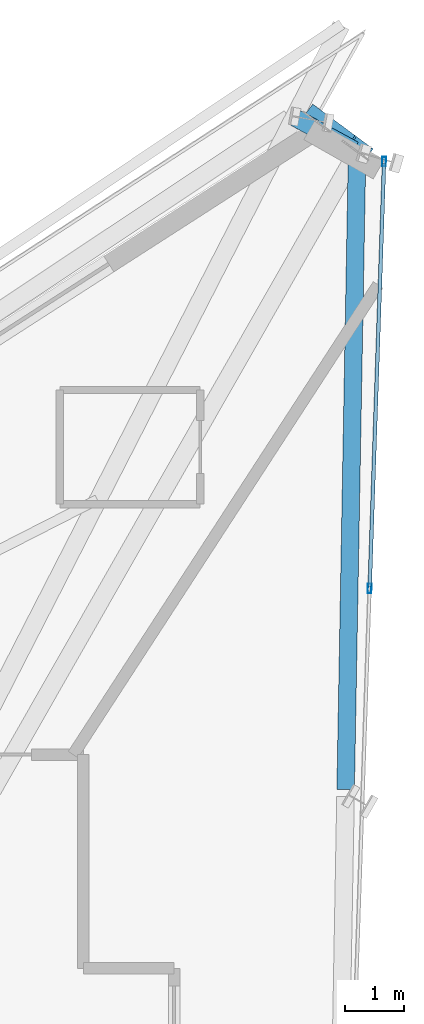
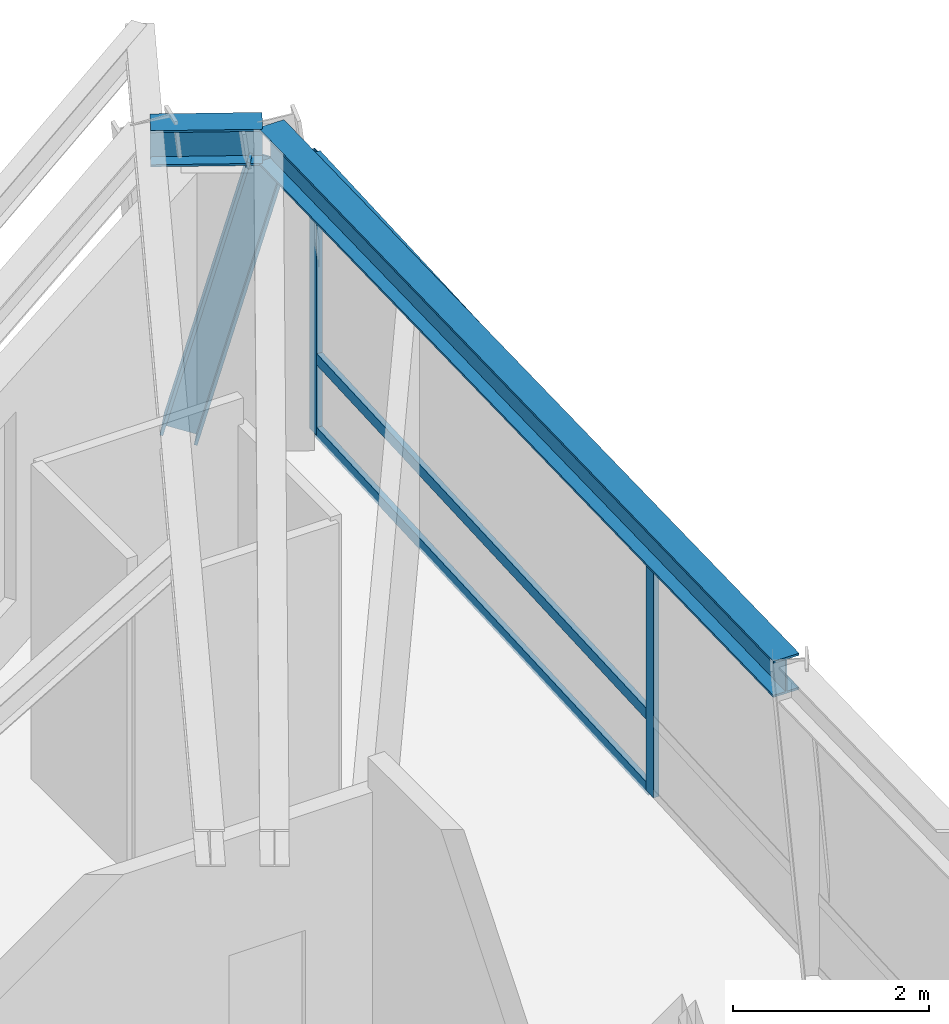
# One storey, part 13 of 22: 6 members, 2 beams, 1 element without a shape of its own.
"""IFC4 building model written with IfcOpenShell, lengths in metres."""

import ifcopenshell
import ifcopenshell.guid

model = None  # the IFC model being written
_history = None  # IfcOwnerHistory: only IFC2X3 demands one
_inside = {}  # id of a spatial element -> (the spatial element, [elements in it])
_under = {}  # id of a project, library or spatial element -> (it, [spatial elements below it])
_declared = {}  # id of a project -> (the project, [libraries it declares])
_typed = {}  # id of a type object -> (the type object, [elements of that type])
_made_of = {}  # id of a material, layer set ... -> (it, [elements and type objects made of it])


def new_model(schema):
    """Start an empty IFC model of exactly this schema.

    Asked for "IFC4X3", IfcOpenShell would pick the latest addendum, in which some entities
    have other attributes; the version numbers below select the first issue.
    IFC2X3 requires an IfcOwnerHistory on every rooted entity: one is made here for all.
    """
    global model, _history
    if schema == "IFC4X3":
        model = ifcopenshell.file(schema_version=(4, 3, 0, 0))
    else:
        model = ifcopenshell.file(schema=schema)
    _inside.clear()
    _under.clear()
    _declared.clear()
    _typed.clear()
    _made_of.clear()
    _history = None
    if model.schema == "IFC2X3":
        org = make("IfcOrganization", Name="unknown")
        user = make(
            "IfcPersonAndOrganization",
            ThePerson=make("IfcPerson", FamilyName="unknown"),
            TheOrganization=org,
        )
        app = make(
            "IfcApplication",
            ApplicationDeveloper=org,
            Version="unknown",
            ApplicationFullName="unknown",
            ApplicationIdentifier="unknown",
        )
        _history = make(
            "IfcOwnerHistory",
            OwningUser=user,
            OwningApplication=app,
            ChangeAction="ADDED",
            CreationDate=0,
        )
    return model


def make(cls, **values):
    """One entity of the class cls with the attributes given. An attribute that is None is left unset."""
    return model.create_entity(
        cls, **{name: value for name, value in values.items() if value is not None}
    )


def rooted(cls, **values):
    """An entity with a GlobalId (a new one), such as an element, a storey or a relation."""
    return make(cls, GlobalId=ifcopenshell.guid.new(), OwnerHistory=_history, **values)


def si_unit(unit_type, name, prefix=None):
    """IfcSIUnit, for example si_unit("LENGTHUNIT", "METRE", prefix="MILLI")."""
    return make("IfcSIUnit", UnitType=unit_type, Prefix=prefix, Name=name)


def assignment(units):
    """IfcUnitAssignment: the units of a project."""
    return None if units is None else make("IfcUnitAssignment", Units=units)


def point(xyz):
    """IfcCartesianPoint."""
    return None if xyz is None else make("IfcCartesianPoint", Coordinates=xyz)


def direction(xyz):
    """IfcDirection."""
    return None if xyz is None else make("IfcDirection", DirectionRatios=xyz)


def frame(location, z_axis=None, x_axis=None):
    """IfcAxis2Placement3D, a coordinate frame: its origin and axes. An axis left out is left unset."""
    return make(
        "IfcAxis2Placement3D",
        Location=point(location),
        Axis=direction(z_axis),
        RefDirection=direction(x_axis),
    )


def frame_2d(location, x_axis=None):
    """IfcAxis2Placement2D, a coordinate frame in the plane: its origin and x axis."""
    return make(
        "IfcAxis2Placement2D", Location=point(location), RefDirection=direction(x_axis)
    )


def origin():
    """The frame at (0, 0, 0) with its axes left unset."""
    return frame((0.0, 0.0, 0.0))


def origin_2d():
    """The frame at (0, 0) in the plane with its x axis left unset."""
    return frame_2d((0.0, 0.0))


def place(relative_to, where):
    """IfcLocalPlacement: puts the frame where relative to a parent placement (None: the world)."""
    return make(
        "IfcLocalPlacement", PlacementRelTo=relative_to, RelativePlacement=where
    )


def context(
    kind, dimensions, precision=None, world=None, true_north=None, identifier=None
):
    """IfcGeometricRepresentationContext, for example the 3D "Model" context."""
    return make(
        "IfcGeometricRepresentationContext",
        ContextIdentifier=identifier,
        ContextType=kind,
        CoordinateSpaceDimension=dimensions,
        Precision=precision,
        WorldCoordinateSystem=world,
        TrueNorth=true_north,
    )


def subcontext(parent, identifier, kind, view, scale=None):
    """IfcGeometricRepresentationSubContext, for example "Body" below "Model"."""
    return make(
        "IfcGeometricRepresentationSubContext",
        ContextIdentifier=identifier,
        ContextType=kind,
        ParentContext=parent,
        TargetScale=scale,
        TargetView=view,
    )


def project(units=None, contexts=None):
    """IfcProject with its units and contexts."""
    return rooted(
        "IfcProject",
        Name="project",
        RepresentationContexts=contexts,
        UnitsInContext=assignment(units),
    )


def spatial(cls, under=None, at=None, **own):
    """A site, building, storey or space (cls), placed at a placement, below another one or the project."""
    s = rooted(cls, ObjectPlacement=at, **own)
    if under is not None:
        _under.setdefault(under.id(), (under, []))[1].append(s)
    return s


def profile(cls, at=None, kind="AREA", **sizes):
    """A parametric profile (cls). Its sizes go by their IFC names, for example OverallWidth=200.0."""
    return make(cls, ProfileType=kind, Position=at, **sizes)


def hollow_rectangle(**sizes):
    """IfcRectangleHollowProfileDef."""
    return profile("IfcRectangleHollowProfileDef", **sizes)


def i_section(**sizes):
    """IfcIShapeProfileDef."""
    return profile("IfcIShapeProfileDef", **sizes)


def extrude(swept, where, along, depth):
    """IfcExtrudedAreaSolid: the profile swept, set in the frame where, extruded along a direction by depth."""
    return make(
        "IfcExtrudedAreaSolid",
        SweptArea=swept,
        Position=where,
        ExtrudedDirection=direction(along),
        Depth=depth,
    )


def shape(context_of_items, identifier, shape_type, items):
    """IfcShapeRepresentation: the items that make up one representation, for example the "Body"."""
    return make(
        "IfcShapeRepresentation",
        ContextOfItems=context_of_items,
        RepresentationIdentifier=identifier,
        RepresentationType=shape_type,
        Items=items,
    )


def source(mapping_origin, context_of_items, identifier, shape_type, items):
    """IfcRepresentationMap: a shape defined once, which mapped items show again and again."""
    return make(
        "IfcRepresentationMap",
        MappingOrigin=mapping_origin,
        MappedRepresentation=shape(context_of_items, identifier, shape_type, items),
    )


def transform(
    local_origin,
    x_axis=None,
    y_axis=None,
    z_axis=None,
    scale=None,
    scale2=None,
    scale3=None,
    uniform=True,
):
    """IfcCartesianTransformationOperator3D, or its non-uniform kind. x_axis, y_axis, z_axis: its Axis1, 2, 3."""
    if uniform:
        return make(
            "IfcCartesianTransformationOperator3D",
            Axis1=direction(x_axis),
            Axis2=direction(y_axis),
            LocalOrigin=point(local_origin),
            Scale=scale,
            Axis3=direction(z_axis),
        )
    return make(
        "IfcCartesianTransformationOperator3DnonUniform",
        Axis1=direction(x_axis),
        Axis2=direction(y_axis),
        LocalOrigin=point(local_origin),
        Scale=scale,
        Axis3=direction(z_axis),
        Scale2=scale2,
        Scale3=scale3,
    )


def mapped(mapping_source, mapping_target):
    """IfcMappedItem: shows the shape of a source again, moved by a transform."""
    return make(
        "IfcMappedItem", MappingSource=mapping_source, MappingTarget=mapping_target
    )


def material(Name=None, Category=None):
    """IfcMaterial."""
    return make("IfcMaterial", Name=Name, Category=Category)


def material_profile(
    of_material, cross_section, Name=None, Category=None, Priority=None
):
    """IfcMaterialProfile: a cross section and its material."""
    return make(
        "IfcMaterialProfile",
        Name=Name,
        Material=of_material,
        Profile=cross_section,
        Priority=Priority,
        Category=Category,
    )


def profile_set(profiles, Name=None, composite=None):
    """IfcMaterialProfileSet."""
    return make(
        "IfcMaterialProfileSet",
        Name=Name,
        MaterialProfiles=profiles,
        CompositeProfile=composite,
    )


def made_of(thing, what):
    """Note that an element or type object is made of a material, layer set ...; save() writes the relation."""
    if what is not None:
        _made_of.setdefault(what.id(), (what, []))[1].append(thing)
    return thing


def type_object(cls, material=None, **own):
    """A type object (cls), such as IfcWallType, which elements share."""
    return made_of(rooted(cls, **own), material)


def element(
    cls,
    number,
    at=None,
    inside=None,
    cuts=None,
    type_object=None,
    material=None,
    context=None,
    identifier="Body",
    shape_type=None,
    held_by="IfcProductDefinitionShape",
    body=None,
    shapes=None,
    **own,
):
    """One element of the class cls, such as IfcWall. Its Tag is "e" and its number.

    at: its placement. inside: the storey or other place that contains it. cuts: it is an
    opening in that element (IfcRelVoidsElement). A single representation is given by context,
    identifier, shape_type and body (its items); several are given by shapes. held_by: the class
    of the entity that holds the representations. save() writes the other relations.
    """
    e = rooted(cls, Tag="e%d" % number, ObjectPlacement=at, **own)
    if body is not None:
        shapes = [shape(context, identifier, shape_type, body)]
    if shapes is not None:
        e.Representation = make(held_by, Representations=shapes)
    if inside is not None:
        _inside.setdefault(inside.id(), (inside, []))[1].append(e)
    if cuts is not None:
        rooted(
            "IfcRelVoidsElement", RelatingBuildingElement=cuts, RelatedOpeningElement=e
        )
    if type_object is not None:
        _typed.setdefault(type_object.id(), (type_object, []))[1].append(e)
    return made_of(e, material)


def aggregate(whole, parts):
    """IfcRelAggregates: a whole, such as a stair, and the parts it consists of."""
    return rooted("IfcRelAggregates", RelatingObject=whole, RelatedObjects=parts)


def save(model, path):
    """Write the relations noted so far, then the file.

    IfcRelAggregates (storeys below a building ...), IfcRelContainedInSpatialStructure (elements
    in a storey), IfcRelDefinesByType, IfcRelAssociatesMaterial and IfcRelDeclares: one each for
    every whole, place, type object, material and project.
    """
    for whole, parts in _under.values():
        aggregate(whole, parts)
    for where, things in _inside.values():
        rooted(
            "IfcRelContainedInSpatialStructure",
            RelatedElements=things,
            RelatingStructure=where,
        )
    for kind, things in _typed.values():
        rooted("IfcRelDefinesByType", RelatedObjects=things, RelatingType=kind)
    for what, things in _made_of.values():
        rooted("IfcRelAssociatesMaterial", RelatedObjects=things, RelatingMaterial=what)
    for by, libraries in _declared.values():
        rooted("IfcRelDeclares", RelatingContext=by, RelatedDefinitions=libraries)
    model.write(path)


model = new_model("IFC4")

# Units and contexts
model_context = context("Model", 3, precision=1e-05, world=origin(), true_north=direction((0.0, 1.0)))
body_context = subcontext(model_context, "Body", "Model", "MODEL_VIEW")
ifc_project = project(units=[si_unit("LENGTHUNIT", "METRE"), si_unit("AREAUNIT", "SQUARE_METRE"), si_unit("VOLUMEUNIT", "CUBIC_METRE"), si_unit("PLANEANGLEUNIT", "RADIAN"), si_unit("MASSUNIT", "GRAM", prefix="KILO")], contexts=[model_context])

# Site, building, storey
site_placement = place(None, origin())
site = spatial("IfcSite", under=ifc_project, at=site_placement, CompositionType="ELEMENT")
building_placement = place(site_placement, origin())
building = spatial("IfcBuilding", under=site, at=building_placement, Name="Olszyna Solenne Hotel", CompositionType="ELEMENT")
storey_placement = place(building_placement, frame((0.0, 0.0, 281.89990234375)))
storey = spatial("IfcBuildingStorey", under=building, at=storey_placement, Name="L75", CompositionType="ELEMENT", Elevation=281.89990234375)

# Beams
ifc_material_1 = material(Name="Steel S355J2", Category="steel")
ifc_material_profile_1 = material_profile(ifc_material_1, i_section(OverallWidth=0.300048828125, OverallDepth=0.449951171875, WebThickness=0.013916015625, FlangeThickness=0.02587890625, at=origin_2d()), Name="HEB 450", Category="load-bearing")
ifc_profile_set_1 = profile_set([ifc_material_profile_1], Name="Steel S355J2")
beam_type = type_object("IfcBeamType", Name="BM-S4", PredefinedType="BEAM", material=ifc_profile_set_1)
shared_shape_1 = source(origin(), body_context, "Body", "SweptSolid", [
    extrude(i_section(OverallWidth=0.300048828125, OverallDepth=0.449951171875, WebThickness=0.013916015625, FlangeThickness=0.02587890625, at=origin_2d()), origin(), (0.0, 0.0, 1.0), 1.143798828125),
])
beam_1_placement = place(storey_placement, frame((51.272705078125, 49.98046875, 3.695068359375), z_axis=(-0.877569047779, 0.479450275191, 0.0), x_axis=(-0.479450275191, -0.877569047779, 0.0)))
element("IfcBeam", 1, at=beam_1_placement, inside=storey, type_object=beam_type, Name="Perimeter spandrel beam BM-S4 B-L75-2196", PredefinedType="BEAM", context=body_context, shape_type="MappedRepresentation", body=[
    mapped(shared_shape_1, transform((0.0, 0.0, 0.0), x_axis=(1.0, 0.0, 0.0), y_axis=(0.0, 1.0, 0.0), z_axis=(0.0, 0.0, 1.0), scale=1.0)),
])
shared_shape_2 = source(origin(), body_context, "Body", "SweptSolid", [
    extrude(i_section(OverallWidth=0.300048828125, OverallDepth=0.449951171875, WebThickness=0.013916015625, FlangeThickness=0.02587890625, at=origin_2d()), origin(), (0.0, 0.0, 1.0), 10.842529296875),
])
beam_2_placement = place(storey_placement, frame((51.1298828125, 39.05078125, 3.695068359375), z_axis=(0.017945942933, 0.999838958599, 0.0), x_axis=(-0.999838958599, 0.017945942933, 0.0)))
element("IfcBeam", 2, at=beam_2_placement, inside=storey, type_object=beam_type, Name="Perimeter spandrel beam BM-S4 B-L75-2207", PredefinedType="BEAM", context=body_context, shape_type="MappedRepresentation", body=[
    mapped(shared_shape_2, transform((0.0, 0.0, 0.0), x_axis=(1.0, 0.0, 0.0), y_axis=(0.0, 1.0, 0.0), z_axis=(0.0, 0.0, 1.0), scale=1.0)),
])

# Member
ifc_material_2 = material(Name="Steel S460M", Category="steel")
ifc_material_profile_2 = material_profile(ifc_material_2, i_section(OverallWidth=0.40087890625, OverallDepth=0.39892578125, WebThickness=0.02197265625, FlangeThickness=0.034423828125, at=origin_2d()), Name="HD 400x314", Category="load-bearing")
ifc_profile_set_2 = profile_set([ifc_material_profile_2], Name="Steel S460M")
member_type_1 = type_object("IfcMemberType", Name="BR-T3", PredefinedType="BRACE", material=ifc_profile_set_2)
shared_shape_3 = source(origin(), body_context, "Body", "SweptSolid", [
    extrude(i_section(OverallWidth=0.40087890625, OverallDepth=0.39892578125, WebThickness=0.02197265625, FlangeThickness=0.034423828125, at=origin_2d()), origin(), (0.0, 0.0, 1.0), 3.58349609375),
])
member_1_placement = place(storey_placement, frame((50.603271484375, 50.486083984375, 0.010009765625), z_axis=(0.201529142012, -0.149137015505, 0.968062061815), x_axis=(0.59485705279, 0.803831503952, 0.0)))
element("IfcMember", 3, at=member_1_placement, inside=storey, type_object=member_type_1, Name="Perimeter braced-tube diagonal BR-T3 BR-L75-1", PredefinedType="BRACE", context=body_context, shape_type="MappedRepresentation", body=[
    mapped(shared_shape_3, transform((0.0, 0.0, 0.0), x_axis=(1.0, 0.0, 0.0), y_axis=(0.0, 1.0, 0.0), z_axis=(0.0, 0.0, 1.0), scale=1.0)),
])

# Curtain wall, members
ifc_material_3 = material(Name="Anodised bronze aluminium", Category="aluminium")
curtain_wall_type = type_object("IfcCurtainWallType", Name="CW-SYS-7", PredefinedType="NOTDEFINED", material=ifc_material_3)
curtain_wall_placement = place(storey_placement, origin())
curtain_wall = element("IfcCurtainWall", 4, at=curtain_wall_placement, inside=storey, type_object=curtain_wall_type, Name="Unitised curtain wall CW-SYS-7 CW-L75-03", PredefinedType="NOTDEFINED")
ifc_material_profile_3 = material_profile(ifc_material_3, hollow_rectangle(XDim=0.06494140625, YDim=0.159912109375, WallThickness=0.00390625, at=origin_2d()), Name="MULL 160x65x4", Category="load-bearing")
ifc_profile_set_3 = profile_set([ifc_material_profile_3], Name="Anodised bronze aluminium")
member_type_2 = type_object("IfcMemberType", Name="CW-M3", PredefinedType="MULLION", material=ifc_profile_set_3)
shared_shape_4 = source(origin(), body_context, "Body", "SweptSolid", [
    extrude(hollow_rectangle(XDim=0.06494140625, YDim=0.159912109375, WallThickness=0.00390625, at=origin_2d()), origin(), (0.0, 0.0, 1.0), 3.462158203125),
])
member_2_placement = place(storey_placement, frame((51.540283203125, 42.48876953125, 0.0), z_axis=(0.0, 0.0, 1.0), x_axis=(-0.9994274286, 0.033835114337, 0.0)))
member_2 = element("IfcMember", 5, at=member_2_placement, type_object=member_type_2, Name="Curtain-wall mullion CW-M3 CM-L75-03-03", PredefinedType="MULLION", context=body_context, shape_type="MappedRepresentation", body=[
    mapped(shared_shape_4, transform((0.0, 0.0, 0.0), x_axis=(1.0, 0.0, 0.0), y_axis=(0.0, 1.0, 0.0), z_axis=(0.0, 0.0, 1.0), scale=1.0)),
])
member_3_placement = place(storey_placement, frame((51.787353515625, 49.78173828125, 0.0), z_axis=(0.0, 0.0, 1.0), x_axis=(-0.9994274286, 0.033835114337, 0.0)))
member_3 = element("IfcMember", 6, at=member_3_placement, type_object=member_type_2, Name="Curtain-wall mullion CW-M3 CM-L75-03-04", PredefinedType="MULLION", context=body_context, shape_type="MappedRepresentation", body=[
    mapped(shared_shape_4, transform((0.0, 0.0, 0.0), x_axis=(1.0, 0.0, 0.0), y_axis=(0.0, 1.0, 0.0), z_axis=(0.0, 0.0, 1.0), scale=1.0)),
])
ifc_material_profile_4 = material_profile(ifc_material_3, hollow_rectangle(XDim=0.06494140625, YDim=0.139892578125, WallThickness=0.00390625, at=origin_2d()), Name="TRAN 140x65x4", Category="load-bearing")
ifc_profile_set_4 = profile_set([ifc_material_profile_4], Name="Anodised bronze aluminium")
member_type_3 = type_object("IfcMemberType", Name="CW-T2", PredefinedType="USERDEFINED", material=ifc_profile_set_4)
shared_shape_5 = source(origin(), body_context, "Body", "SweptSolid", [
    extrude(hollow_rectangle(XDim=0.06494140625, YDim=0.139892578125, WallThickness=0.00390625, at=origin_2d()), origin(), (0.0, 0.0, 1.0), 7.232177734375),
])
member_4_placement = place(storey_placement, frame((51.54150390625, 42.521240234375, 0.03271484375), z_axis=(0.033825124039, 0.999427766766, 0.0), x_axis=(-0.999427766766, 0.033825124039, 0.0)))
member_4 = element("IfcMember", 7, at=member_4_placement, type_object=member_type_3, Name="Curtain-wall transom CW-T2 CT-L75-03-07", ObjectType="TRANSOM", PredefinedType="USERDEFINED", context=body_context, shape_type="MappedRepresentation", body=[
    mapped(shared_shape_5, transform((0.0, 0.0, 0.0), x_axis=(1.0, 0.0, 0.0), y_axis=(0.0, 1.0, 0.0), z_axis=(0.0, 0.0, 1.0), scale=1.0)),
])
member_5_placement = place(storey_placement, frame((51.54150390625, 42.521240234375, 0.9501953125), z_axis=(0.033825124039, 0.999427766766, 0.0), x_axis=(-0.999427766766, 0.033825124039, 0.0)))
member_5 = element("IfcMember", 8, at=member_5_placement, type_object=member_type_3, Name="Curtain-wall transom CW-T2 CT-L75-03-08", ObjectType="TRANSOM", PredefinedType="USERDEFINED", context=body_context, shape_type="MappedRepresentation", body=[
    mapped(shared_shape_5, transform((0.0, 0.0, 0.0), x_axis=(1.0, 0.0, 0.0), y_axis=(0.0, 1.0, 0.0), z_axis=(0.0, 0.0, 1.0), scale=1.0)),
])
member_6_placement = place(storey_placement, frame((51.54150390625, 42.521240234375, 3.4296875), z_axis=(0.033825124039, 0.999427766766, 0.0), x_axis=(-0.999427766766, 0.033825124039, 0.0)))
member_6 = element("IfcMember", 9, at=member_6_placement, type_object=member_type_3, Name="Curtain-wall transom CW-T2 CT-L75-03-09", ObjectType="TRANSOM", PredefinedType="USERDEFINED", context=body_context, shape_type="MappedRepresentation", body=[
    mapped(shared_shape_5, transform((0.0, 0.0, 0.0), x_axis=(1.0, 0.0, 0.0), y_axis=(0.0, 1.0, 0.0), z_axis=(0.0, 0.0, 1.0), scale=1.0)),
])
aggregate(curtain_wall, [member_2, member_3, member_4, member_5, member_6])

save(model, "model.ifc")
